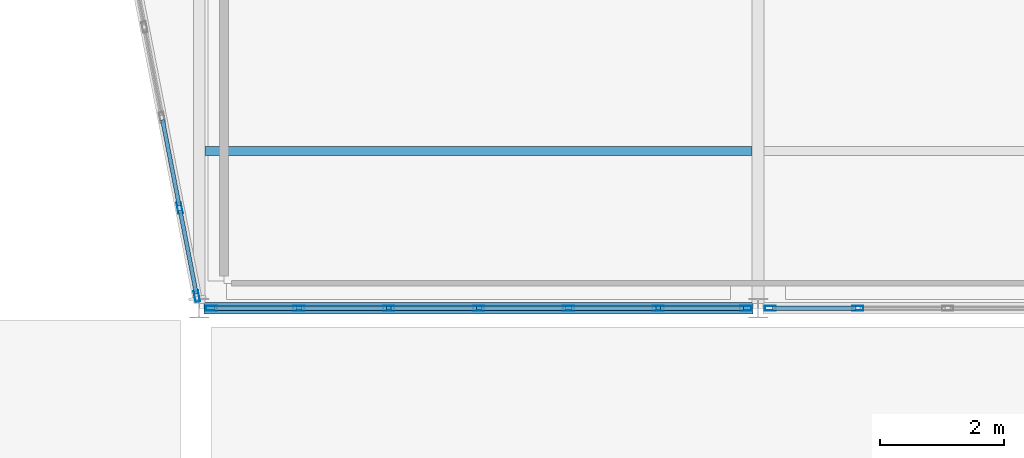
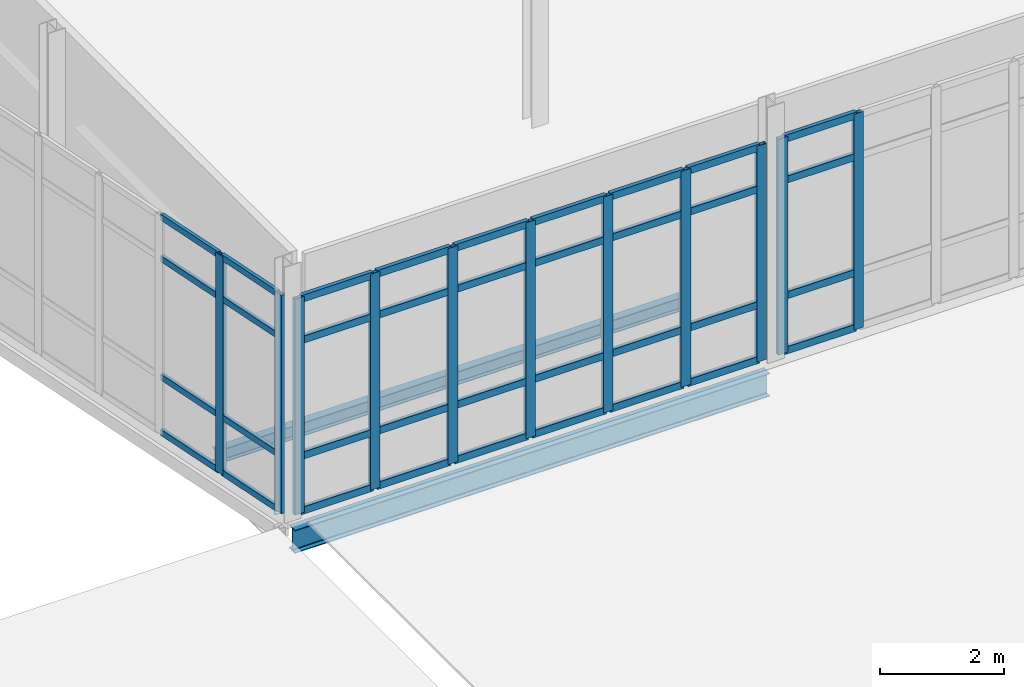
# One storey, part 64 of 161: 47 members, 2 beams, 3 elements without a shape of their own.
"""IFC4 building model written with IfcOpenShell, lengths in metres."""

from ifc_helpers import new_model, si_unit, direction, frame, origin, origin_2d, place, context, subcontext, project, spatial, hollow_rectangle, i_section, extrude, material, material_profile, profile_set, type_object, element, aggregate, save


model = new_model("IFC4")

# Units and contexts
model_context = context("Model", 3, precision=1e-05, world=origin(), true_north=direction((0.0, 1.0)))
body_context = subcontext(model_context, "Body", "Model", "MODEL_VIEW")
ifc_project = project(units=[si_unit("LENGTHUNIT", "METRE"), si_unit("AREAUNIT", "SQUARE_METRE"), si_unit("VOLUMEUNIT", "CUBIC_METRE"), si_unit("PLANEANGLEUNIT", "RADIAN"), si_unit("MASSUNIT", "GRAM", prefix="KILO")], contexts=[model_context])

# Site, building, storey
site_placement = place(None, origin())
site = spatial("IfcSite", under=ifc_project, at=site_placement, CompositionType="ELEMENT")
building_placement = place(site_placement, origin())
building = spatial("IfcBuilding", under=site, at=building_placement, Name="Caisbarro Railhouse Central Library", CompositionType="ELEMENT")
storey_placement = place(building_placement, origin())
storey = spatial("IfcBuildingStorey", under=building, at=storey_placement, Name="L00", CompositionType="ELEMENT", Elevation=0.0)

# Beams
ifc_material_1 = material(Name="Steel ASTM A572 Grade 50", Category="steel")
ifc_material_profile_1 = material_profile(ifc_material_1, i_section(OverallWidth=0.14794921875, OverallDepth=0.26611328125, WebThickness=0.007568359375, FlangeThickness=0.012939453125, FilletRadius=0.010009765625, at=origin_2d()), Name="W250X44.8")
ifc_profile_set_1 = profile_set([ifc_material_profile_1], Name="Steel ASTM A572 Grade 50")
beam_type_1 = type_object("IfcBeamType", Name="BM-J04", PredefinedType="JOIST", material=ifc_profile_set_1)
beam_1_placement = place(storey_placement, frame((117.094970703125, 63.333251953125, -0.383056640625), z_axis=(1.0, 0.0, 0.0), x_axis=(0.0, 1.0, 0.0)))
element("IfcBeam", 1, at=beam_1_placement, inside=storey, type_object=beam_type_1, Name="J04 beam L00 #557", PredefinedType="JOIST", context=body_context, shape_type="SweptSolid", body=[
    extrude(i_section(OverallWidth=0.14794921875, OverallDepth=0.26611328125, WebThickness=0.007568359375, FlangeThickness=0.012939453125, FilletRadius=0.010009765625, at=origin_2d()), origin(), (0.0, 0.0, 1.0), 8.81005859375),
])
ifc_material_profile_2 = material_profile(ifc_material_1, i_section(OverallWidth=0.18994140625, OverallDepth=0.45703125, WebThickness=0.009033203125, FlangeThickness=0.014404296875, FilletRadius=0.01806640625, at=origin_2d()), Name="W460X74.0")
ifc_profile_set_2 = profile_set([ifc_material_profile_2], Name="Steel ASTM A572 Grade 50")
beam_type_2 = type_object("IfcBeamType", Name="BM-SP01", PredefinedType="SPANDREL", material=ifc_profile_set_2)
beam_2_placement = place(storey_placement, frame((117.080078125, 60.800048828125, -0.478515625), z_axis=(1.0, 0.0, 0.0), x_axis=(0.0, 1.0, 0.0)))
element("IfcBeam", 2, at=beam_2_placement, inside=storey, type_object=beam_type_2, Name="SP01 beam L00 #490", PredefinedType="SPANDREL", context=body_context, shape_type="SweptSolid", body=[
    extrude(i_section(OverallWidth=0.18994140625, OverallDepth=0.45703125, WebThickness=0.009033203125, FlangeThickness=0.014404296875, FilletRadius=0.01806640625, at=origin_2d()), origin(), (0.0, 0.0, 1.0), 8.83984375),
])

# Curtain wall, members
ifc_material_2 = material(Name="Anodised architectural aluminium", Category="aluminium")
curtain_wall_type_1 = type_object("IfcCurtainWallType", Name="CW-CW01", PredefinedType="NOTDEFINED", material=ifc_material_2)
curtain_wall_1_placement = place(storey_placement, origin())
curtain_wall_1 = element("IfcCurtainWall", 3, at=curtain_wall_1_placement, inside=storey, type_object=curtain_wall_type_1, Name="CW01 curtain wall L00 #96", PredefinedType="NOTDEFINED")
ifc_material_profile_3 = material_profile(ifc_material_2, hollow_rectangle(XDim=0.074951171875, YDim=0.179931640625, WallThickness=0.00439453125, at=origin_2d()), Name="ALU-MUL-75X180")
ifc_profile_set_3 = profile_set([ifc_material_profile_3], Name="Anodised architectural aluminium")
member_type_1 = type_object("IfcMemberType", Name="CWM-M01", PredefinedType="MULLION", material=ifc_profile_set_3)
member_1_placement = place(storey_placement, frame((116.96240234375, 60.993896484375, 0.0), z_axis=(0.0, 0.0, 1.0), x_axis=(-0.981632635401, -0.190780945369, 0.0)))
member_1 = element("IfcMember", 4, at=member_1_placement, type_object=member_type_1, Name="CW01 mullion 1", PredefinedType="MULLION", context=body_context, shape_type="SweptSolid", body=[
    extrude(hollow_rectangle(XDim=0.074951171875, YDim=0.179931640625, WallThickness=0.00439453125, at=origin_2d()), origin(), (0.0, 0.0, 1.0), 4.300048828125),
])
member_2_placement = place(storey_placement, frame((116.686279296875, 62.414306640625, 0.0), z_axis=(0.0, 0.0, 1.0), x_axis=(-0.981632635401, -0.190780945369, 0.0)))
member_2 = element("IfcMember", 5, at=member_2_placement, type_object=member_type_1, Name="CW01 mullion 2", PredefinedType="MULLION", context=body_context, shape_type="SweptSolid", body=[
    extrude(hollow_rectangle(XDim=0.074951171875, YDim=0.179931640625, WallThickness=0.00439453125, at=origin_2d()), origin(), (0.0, 0.0, 1.0), 4.300048828125),
])

curtain_wall_type_2 = type_object("IfcCurtainWallType", Name="CW-CW02", PredefinedType="NOTDEFINED", material=ifc_material_2)
curtain_wall_2_placement = place(storey_placement, origin())
curtain_wall_2 = element("IfcCurtainWall", 6, at=curtain_wall_2_placement, inside=storey, type_object=curtain_wall_type_2, Name="CW02 curtain wall L00 #103", PredefinedType="NOTDEFINED")
member_3_placement = place(storey_placement, frame((117.197509765625, 60.800048828125, 0.0), z_axis=(0.0, 0.0, 1.0), x_axis=(0.0, 1.0, 0.0)))
member_3 = element("IfcMember", 7, at=member_3_placement, type_object=member_type_1, Name="CW02 mullion 1", PredefinedType="MULLION", context=body_context, shape_type="SweptSolid", body=[
    extrude(hollow_rectangle(XDim=0.074951171875, YDim=0.179931640625, WallThickness=0.00439453125, at=origin_2d()), origin(), (0.0, 0.0, 1.0), 4.25),
])
member_4_placement = place(storey_placement, frame((118.606689453125, 60.800048828125, 0.0), z_axis=(0.0, 0.0, 1.0), x_axis=(0.0, 1.0, 0.0)))
member_4 = element("IfcMember", 8, at=member_4_placement, type_object=member_type_1, Name="CW02 mullion 2", PredefinedType="MULLION", context=body_context, shape_type="SweptSolid", body=[
    extrude(hollow_rectangle(XDim=0.074951171875, YDim=0.179931640625, WallThickness=0.00439453125, at=origin_2d()), origin(), (0.0, 0.0, 1.0), 4.25),
])
member_5_placement = place(storey_placement, frame((120.05322265625, 60.800048828125, 0.0), z_axis=(0.0, 0.0, 1.0), x_axis=(0.0, 1.0, 0.0)))
member_5 = element("IfcMember", 9, at=member_5_placement, type_object=member_type_1, Name="CW02 mullion 3", PredefinedType="MULLION", context=body_context, shape_type="SweptSolid", body=[
    extrude(hollow_rectangle(XDim=0.074951171875, YDim=0.179931640625, WallThickness=0.00439453125, at=origin_2d()), origin(), (0.0, 0.0, 1.0), 4.25),
])
member_6_placement = place(storey_placement, frame((121.5, 60.800048828125, 0.0), z_axis=(0.0, 0.0, 1.0), x_axis=(0.0, 1.0, 0.0)))
member_6 = element("IfcMember", 10, at=member_6_placement, type_object=member_type_1, Name="CW02 mullion 4", PredefinedType="MULLION", context=body_context, shape_type="SweptSolid", body=[
    extrude(hollow_rectangle(XDim=0.074951171875, YDim=0.179931640625, WallThickness=0.00439453125, at=origin_2d()), origin(), (0.0, 0.0, 1.0), 4.25),
])
member_7_placement = place(storey_placement, frame((122.94677734375, 60.800048828125, 0.0), z_axis=(0.0, 0.0, 1.0), x_axis=(0.0, 1.0, 0.0)))
member_7 = element("IfcMember", 11, at=member_7_placement, type_object=member_type_1, Name="CW02 mullion 5", PredefinedType="MULLION", context=body_context, shape_type="SweptSolid", body=[
    extrude(hollow_rectangle(XDim=0.074951171875, YDim=0.179931640625, WallThickness=0.00439453125, at=origin_2d()), origin(), (0.0, 0.0, 1.0), 4.25),
])
member_8_placement = place(storey_placement, frame((124.393310546875, 60.800048828125, 0.0), z_axis=(0.0, 0.0, 1.0), x_axis=(0.0, 1.0, 0.0)))
member_8 = element("IfcMember", 12, at=member_8_placement, type_object=member_type_1, Name="CW02 mullion 6", PredefinedType="MULLION", context=body_context, shape_type="SweptSolid", body=[
    extrude(hollow_rectangle(XDim=0.074951171875, YDim=0.179931640625, WallThickness=0.00439453125, at=origin_2d()), origin(), (0.0, 0.0, 1.0), 4.25),
])
member_9_placement = place(storey_placement, frame((125.802490234375, 60.800048828125, 0.0), z_axis=(0.0, 0.0, 1.0), x_axis=(0.0, 1.0, 0.0)))
member_9 = element("IfcMember", 13, at=member_9_placement, type_object=member_type_1, Name="CW02 mullion 7", PredefinedType="MULLION", context=body_context, shape_type="SweptSolid", body=[
    extrude(hollow_rectangle(XDim=0.074951171875, YDim=0.179931640625, WallThickness=0.00439453125, at=origin_2d()), origin(), (0.0, 0.0, 1.0), 4.25),
])

curtain_wall_3_placement = place(storey_placement, origin())
curtain_wall_3 = element("IfcCurtainWall", 14, at=curtain_wall_3_placement, inside=storey, type_object=curtain_wall_type_2, Name="CW02 curtain wall L00 #104", PredefinedType="NOTDEFINED")
member_10_placement = place(storey_placement, frame((126.197509765625, 60.800048828125, 0.0), z_axis=(0.0, 0.0, 1.0), x_axis=(0.0, 1.0, 0.0)))
member_10 = element("IfcMember", 15, at=member_10_placement, type_object=member_type_1, Name="CW02 mullion 1", PredefinedType="MULLION", context=body_context, shape_type="SweptSolid", body=[
    extrude(hollow_rectangle(XDim=0.074951171875, YDim=0.179931640625, WallThickness=0.00439453125, at=origin_2d()), origin(), (0.0, 0.0, 1.0), 4.25),
])
member_11_placement = place(storey_placement, frame((127.606689453125, 60.800048828125, 0.0), z_axis=(0.0, 0.0, 1.0), x_axis=(0.0, 1.0, 0.0)))
member_11 = element("IfcMember", 16, at=member_11_placement, type_object=member_type_1, Name="CW02 mullion 2", PredefinedType="MULLION", context=body_context, shape_type="SweptSolid", body=[
    extrude(hollow_rectangle(XDim=0.074951171875, YDim=0.179931640625, WallThickness=0.00439453125, at=origin_2d()), origin(), (0.0, 0.0, 1.0), 4.25),
])

# Member
ifc_material_profile_4 = material_profile(ifc_material_2, hollow_rectangle(XDim=0.074951171875, YDim=0.139892578125, WallThickness=0.00390625, at=origin_2d()), Name="ALU-TRN-75X140")
ifc_profile_set_4 = profile_set([ifc_material_profile_4], Name="Anodised architectural aluminium")
member_type_2 = type_object("IfcMemberType", Name="CWT-T01", PredefinedType="USERDEFINED", material=ifc_profile_set_4)
member_12_placement = place(storey_placement, frame((117.235107421875, 60.800048828125, 0.03759765625), z_axis=(1.0, 0.0, 0.0), x_axis=(0.0, 1.0, 0.0)))
member_12 = element("IfcMember", 17, at=member_12_placement, type_object=member_type_2, Name="CW02 transom 1.1", ObjectType="TRANSOM", PredefinedType="USERDEFINED", context=body_context, shape_type="SweptSolid", body=[
    extrude(hollow_rectangle(XDim=0.074951171875, YDim=0.139892578125, WallThickness=0.00390625, at=origin_2d()), origin(), (0.0, 0.0, 1.0), 1.333984375),
])

member_13_placement = place(storey_placement, frame((117.235107421875, 60.800048828125, 1.1201171875), z_axis=(1.0, 0.0, 0.0), x_axis=(0.0, 1.0, 0.0)))
member_13 = element("IfcMember", 18, at=member_13_placement, type_object=member_type_2, Name="CW02 transom 1.2", ObjectType="TRANSOM", PredefinedType="USERDEFINED", context=body_context, shape_type="SweptSolid", body=[
    extrude(hollow_rectangle(XDim=0.074951171875, YDim=0.139892578125, WallThickness=0.00390625, at=origin_2d()), origin(), (0.0, 0.0, 1.0), 1.333984375),
])

member_14_placement = place(storey_placement, frame((117.235107421875, 60.800048828125, 3.39990234375), z_axis=(1.0, 0.0, 0.0), x_axis=(0.0, 1.0, 0.0)))
member_14 = element("IfcMember", 19, at=member_14_placement, type_object=member_type_2, Name="CW02 transom 1.3", ObjectType="TRANSOM", PredefinedType="USERDEFINED", context=body_context, shape_type="SweptSolid", body=[
    extrude(hollow_rectangle(XDim=0.074951171875, YDim=0.139892578125, WallThickness=0.00390625, at=origin_2d()), origin(), (0.0, 0.0, 1.0), 1.333984375),
])

member_15_placement = place(storey_placement, frame((117.235107421875, 60.800048828125, 4.21240234375), z_axis=(1.0, 0.0, 0.0), x_axis=(0.0, 1.0, 0.0)))
member_15 = element("IfcMember", 20, at=member_15_placement, type_object=member_type_2, Name="CW02 transom 1.4", ObjectType="TRANSOM", PredefinedType="USERDEFINED", context=body_context, shape_type="SweptSolid", body=[
    extrude(hollow_rectangle(XDim=0.074951171875, YDim=0.139892578125, WallThickness=0.00390625, at=origin_2d()), origin(), (0.0, 0.0, 1.0), 1.333984375),
])

member_16_placement = place(storey_placement, frame((118.644287109375, 60.800048828125, 0.03759765625), z_axis=(1.0, 0.0, 0.0), x_axis=(0.0, 1.0, 0.0)))
member_16 = element("IfcMember", 21, at=member_16_placement, type_object=member_type_2, Name="CW02 transom 2.1", ObjectType="TRANSOM", PredefinedType="USERDEFINED", context=body_context, shape_type="SweptSolid", body=[
    extrude(hollow_rectangle(XDim=0.074951171875, YDim=0.139892578125, WallThickness=0.00390625, at=origin_2d()), origin(), (0.0, 0.0, 1.0), 1.37158203125),
])

member_17_placement = place(storey_placement, frame((118.644287109375, 60.800048828125, 1.1201171875), z_axis=(1.0, 0.0, 0.0), x_axis=(0.0, 1.0, 0.0)))
member_17 = element("IfcMember", 22, at=member_17_placement, type_object=member_type_2, Name="CW02 transom 2.2", ObjectType="TRANSOM", PredefinedType="USERDEFINED", context=body_context, shape_type="SweptSolid", body=[
    extrude(hollow_rectangle(XDim=0.074951171875, YDim=0.139892578125, WallThickness=0.00390625, at=origin_2d()), origin(), (0.0, 0.0, 1.0), 1.37158203125),
])

member_18_placement = place(storey_placement, frame((118.644287109375, 60.800048828125, 3.39990234375), z_axis=(1.0, 0.0, 0.0), x_axis=(0.0, 1.0, 0.0)))
member_18 = element("IfcMember", 23, at=member_18_placement, type_object=member_type_2, Name="CW02 transom 2.3", ObjectType="TRANSOM", PredefinedType="USERDEFINED", context=body_context, shape_type="SweptSolid", body=[
    extrude(hollow_rectangle(XDim=0.074951171875, YDim=0.139892578125, WallThickness=0.00390625, at=origin_2d()), origin(), (0.0, 0.0, 1.0), 1.37158203125),
])

member_19_placement = place(storey_placement, frame((118.644287109375, 60.800048828125, 4.21240234375), z_axis=(1.0, 0.0, 0.0), x_axis=(0.0, 1.0, 0.0)))
member_19 = element("IfcMember", 24, at=member_19_placement, type_object=member_type_2, Name="CW02 transom 2.4", ObjectType="TRANSOM", PredefinedType="USERDEFINED", context=body_context, shape_type="SweptSolid", body=[
    extrude(hollow_rectangle(XDim=0.074951171875, YDim=0.139892578125, WallThickness=0.00390625, at=origin_2d()), origin(), (0.0, 0.0, 1.0), 1.37158203125),
])

member_20_placement = place(storey_placement, frame((120.0908203125, 60.800048828125, 0.03759765625), z_axis=(1.0, 0.0, 0.0), x_axis=(0.0, 1.0, 0.0)))
member_20 = element("IfcMember", 25, at=member_20_placement, type_object=member_type_2, Name="CW02 transom 3.1", ObjectType="TRANSOM", PredefinedType="USERDEFINED", context=body_context, shape_type="SweptSolid", body=[
    extrude(hollow_rectangle(XDim=0.074951171875, YDim=0.139892578125, WallThickness=0.00390625, at=origin_2d()), origin(), (0.0, 0.0, 1.0), 1.37158203125),
])

member_21_placement = place(storey_placement, frame((120.0908203125, 60.800048828125, 1.1201171875), z_axis=(1.0, 0.0, 0.0), x_axis=(0.0, 1.0, 0.0)))
member_21 = element("IfcMember", 26, at=member_21_placement, type_object=member_type_2, Name="CW02 transom 3.2", ObjectType="TRANSOM", PredefinedType="USERDEFINED", context=body_context, shape_type="SweptSolid", body=[
    extrude(hollow_rectangle(XDim=0.074951171875, YDim=0.139892578125, WallThickness=0.00390625, at=origin_2d()), origin(), (0.0, 0.0, 1.0), 1.37158203125),
])

member_22_placement = place(storey_placement, frame((120.0908203125, 60.800048828125, 3.39990234375), z_axis=(1.0, 0.0, 0.0), x_axis=(0.0, 1.0, 0.0)))
member_22 = element("IfcMember", 27, at=member_22_placement, type_object=member_type_2, Name="CW02 transom 3.3", ObjectType="TRANSOM", PredefinedType="USERDEFINED", context=body_context, shape_type="SweptSolid", body=[
    extrude(hollow_rectangle(XDim=0.074951171875, YDim=0.139892578125, WallThickness=0.00390625, at=origin_2d()), origin(), (0.0, 0.0, 1.0), 1.37158203125),
])

member_23_placement = place(storey_placement, frame((120.0908203125, 60.800048828125, 4.21240234375), z_axis=(1.0, 0.0, 0.0), x_axis=(0.0, 1.0, 0.0)))
member_23 = element("IfcMember", 28, at=member_23_placement, type_object=member_type_2, Name="CW02 transom 3.4", ObjectType="TRANSOM", PredefinedType="USERDEFINED", context=body_context, shape_type="SweptSolid", body=[
    extrude(hollow_rectangle(XDim=0.074951171875, YDim=0.139892578125, WallThickness=0.00390625, at=origin_2d()), origin(), (0.0, 0.0, 1.0), 1.37158203125),
])

member_24_placement = place(storey_placement, frame((121.53759765625, 60.800048828125, 0.03759765625), z_axis=(1.0, 0.0, 0.0), x_axis=(0.0, 1.0, 0.0)))
member_24 = element("IfcMember", 29, at=member_24_placement, type_object=member_type_2, Name="CW02 transom 4.1", ObjectType="TRANSOM", PredefinedType="USERDEFINED", context=body_context, shape_type="SweptSolid", body=[
    extrude(hollow_rectangle(XDim=0.074951171875, YDim=0.139892578125, WallThickness=0.00390625, at=origin_2d()), origin(), (0.0, 0.0, 1.0), 1.37158203125),
])

member_25_placement = place(storey_placement, frame((121.53759765625, 60.800048828125, 1.1201171875), z_axis=(1.0, 0.0, 0.0), x_axis=(0.0, 1.0, 0.0)))
member_25 = element("IfcMember", 30, at=member_25_placement, type_object=member_type_2, Name="CW02 transom 4.2", ObjectType="TRANSOM", PredefinedType="USERDEFINED", context=body_context, shape_type="SweptSolid", body=[
    extrude(hollow_rectangle(XDim=0.074951171875, YDim=0.139892578125, WallThickness=0.00390625, at=origin_2d()), origin(), (0.0, 0.0, 1.0), 1.37158203125),
])

member_26_placement = place(storey_placement, frame((121.53759765625, 60.800048828125, 3.39990234375), z_axis=(1.0, 0.0, 0.0), x_axis=(0.0, 1.0, 0.0)))
member_26 = element("IfcMember", 31, at=member_26_placement, type_object=member_type_2, Name="CW02 transom 4.3", ObjectType="TRANSOM", PredefinedType="USERDEFINED", context=body_context, shape_type="SweptSolid", body=[
    extrude(hollow_rectangle(XDim=0.074951171875, YDim=0.139892578125, WallThickness=0.00390625, at=origin_2d()), origin(), (0.0, 0.0, 1.0), 1.37158203125),
])

member_27_placement = place(storey_placement, frame((121.53759765625, 60.800048828125, 4.21240234375), z_axis=(1.0, 0.0, 0.0), x_axis=(0.0, 1.0, 0.0)))
member_27 = element("IfcMember", 32, at=member_27_placement, type_object=member_type_2, Name="CW02 transom 4.4", ObjectType="TRANSOM", PredefinedType="USERDEFINED", context=body_context, shape_type="SweptSolid", body=[
    extrude(hollow_rectangle(XDim=0.074951171875, YDim=0.139892578125, WallThickness=0.00390625, at=origin_2d()), origin(), (0.0, 0.0, 1.0), 1.37158203125),
])

member_28_placement = place(storey_placement, frame((122.984130859375, 60.800048828125, 0.03759765625), z_axis=(1.0, 0.0, 0.0), x_axis=(0.0, 1.0, 0.0)))
member_28 = element("IfcMember", 33, at=member_28_placement, type_object=member_type_2, Name="CW02 transom 5.1", ObjectType="TRANSOM", PredefinedType="USERDEFINED", context=body_context, shape_type="SweptSolid", body=[
    extrude(hollow_rectangle(XDim=0.074951171875, YDim=0.139892578125, WallThickness=0.00390625, at=origin_2d()), origin(), (0.0, 0.0, 1.0), 1.37158203125),
])

member_29_placement = place(storey_placement, frame((122.984130859375, 60.800048828125, 1.1201171875), z_axis=(1.0, 0.0, 0.0), x_axis=(0.0, 1.0, 0.0)))
member_29 = element("IfcMember", 34, at=member_29_placement, type_object=member_type_2, Name="CW02 transom 5.2", ObjectType="TRANSOM", PredefinedType="USERDEFINED", context=body_context, shape_type="SweptSolid", body=[
    extrude(hollow_rectangle(XDim=0.074951171875, YDim=0.139892578125, WallThickness=0.00390625, at=origin_2d()), origin(), (0.0, 0.0, 1.0), 1.37158203125),
])

member_30_placement = place(storey_placement, frame((122.984130859375, 60.800048828125, 3.39990234375), z_axis=(1.0, 0.0, 0.0), x_axis=(0.0, 1.0, 0.0)))
member_30 = element("IfcMember", 35, at=member_30_placement, type_object=member_type_2, Name="CW02 transom 5.3", ObjectType="TRANSOM", PredefinedType="USERDEFINED", context=body_context, shape_type="SweptSolid", body=[
    extrude(hollow_rectangle(XDim=0.074951171875, YDim=0.139892578125, WallThickness=0.00390625, at=origin_2d()), origin(), (0.0, 0.0, 1.0), 1.37158203125),
])

member_31_placement = place(storey_placement, frame((122.984130859375, 60.800048828125, 4.21240234375), z_axis=(1.0, 0.0, 0.0), x_axis=(0.0, 1.0, 0.0)))
member_31 = element("IfcMember", 36, at=member_31_placement, type_object=member_type_2, Name="CW02 transom 5.4", ObjectType="TRANSOM", PredefinedType="USERDEFINED", context=body_context, shape_type="SweptSolid", body=[
    extrude(hollow_rectangle(XDim=0.074951171875, YDim=0.139892578125, WallThickness=0.00390625, at=origin_2d()), origin(), (0.0, 0.0, 1.0), 1.37158203125),
])

member_32_placement = place(storey_placement, frame((124.430908203125, 60.800048828125, 0.03759765625), z_axis=(1.0, 0.0, 0.0), x_axis=(0.0, 1.0, 0.0)))
member_32 = element("IfcMember", 37, at=member_32_placement, type_object=member_type_2, Name="CW02 transom 6.1", ObjectType="TRANSOM", PredefinedType="USERDEFINED", context=body_context, shape_type="SweptSolid", body=[
    extrude(hollow_rectangle(XDim=0.074951171875, YDim=0.139892578125, WallThickness=0.00390625, at=origin_2d()), origin(), (0.0, 0.0, 1.0), 1.333984375),
])

member_33_placement = place(storey_placement, frame((124.430908203125, 60.800048828125, 1.1201171875), z_axis=(1.0, 0.0, 0.0), x_axis=(0.0, 1.0, 0.0)))
member_33 = element("IfcMember", 38, at=member_33_placement, type_object=member_type_2, Name="CW02 transom 6.2", ObjectType="TRANSOM", PredefinedType="USERDEFINED", context=body_context, shape_type="SweptSolid", body=[
    extrude(hollow_rectangle(XDim=0.074951171875, YDim=0.139892578125, WallThickness=0.00390625, at=origin_2d()), origin(), (0.0, 0.0, 1.0), 1.333984375),
])

member_34_placement = place(storey_placement, frame((124.430908203125, 60.800048828125, 3.39990234375), z_axis=(1.0, 0.0, 0.0), x_axis=(0.0, 1.0, 0.0)))
member_34 = element("IfcMember", 39, at=member_34_placement, type_object=member_type_2, Name="CW02 transom 6.3", ObjectType="TRANSOM", PredefinedType="USERDEFINED", context=body_context, shape_type="SweptSolid", body=[
    extrude(hollow_rectangle(XDim=0.074951171875, YDim=0.139892578125, WallThickness=0.00390625, at=origin_2d()), origin(), (0.0, 0.0, 1.0), 1.333984375),
])

member_35_placement = place(storey_placement, frame((124.430908203125, 60.800048828125, 4.21240234375), z_axis=(1.0, 0.0, 0.0), x_axis=(0.0, 1.0, 0.0)))
member_35 = element("IfcMember", 40, at=member_35_placement, type_object=member_type_2, Name="CW02 transom 6.4", ObjectType="TRANSOM", PredefinedType="USERDEFINED", context=body_context, shape_type="SweptSolid", body=[
    extrude(hollow_rectangle(XDim=0.074951171875, YDim=0.139892578125, WallThickness=0.00390625, at=origin_2d()), origin(), (0.0, 0.0, 1.0), 1.333984375),
])

aggregate(curtain_wall_2, [member_3, member_4, member_5, member_6, member_7, member_8, member_9, member_12, member_13, member_14, member_15, member_16, member_17, member_18, member_19, member_20, member_21, member_22, member_23, member_24, member_25, member_26, member_27, member_28, member_29, member_30, member_31, member_32, member_33, member_34, member_35])

member_36_placement = place(storey_placement, frame((126.235107421875, 60.800048828125, 0.03759765625), z_axis=(1.0, 0.0, 0.0), x_axis=(0.0, 1.0, 0.0)))
member_36 = element("IfcMember", 41, at=member_36_placement, type_object=member_type_2, Name="CW02 transom 1.1", ObjectType="TRANSOM", PredefinedType="USERDEFINED", context=body_context, shape_type="SweptSolid", body=[
    extrude(hollow_rectangle(XDim=0.074951171875, YDim=0.139892578125, WallThickness=0.00390625, at=origin_2d()), origin(), (0.0, 0.0, 1.0), 1.333984375),
])

member_37_placement = place(storey_placement, frame((126.235107421875, 60.800048828125, 1.1201171875), z_axis=(1.0, 0.0, 0.0), x_axis=(0.0, 1.0, 0.0)))
member_37 = element("IfcMember", 42, at=member_37_placement, type_object=member_type_2, Name="CW02 transom 1.2", ObjectType="TRANSOM", PredefinedType="USERDEFINED", context=body_context, shape_type="SweptSolid", body=[
    extrude(hollow_rectangle(XDim=0.074951171875, YDim=0.139892578125, WallThickness=0.00390625, at=origin_2d()), origin(), (0.0, 0.0, 1.0), 1.333984375),
])

member_38_placement = place(storey_placement, frame((126.235107421875, 60.800048828125, 3.39990234375), z_axis=(1.0, 0.0, 0.0), x_axis=(0.0, 1.0, 0.0)))
member_38 = element("IfcMember", 43, at=member_38_placement, type_object=member_type_2, Name="CW02 transom 1.3", ObjectType="TRANSOM", PredefinedType="USERDEFINED", context=body_context, shape_type="SweptSolid", body=[
    extrude(hollow_rectangle(XDim=0.074951171875, YDim=0.139892578125, WallThickness=0.00390625, at=origin_2d()), origin(), (0.0, 0.0, 1.0), 1.333984375),
])

member_39_placement = place(storey_placement, frame((126.235107421875, 60.800048828125, 4.21240234375), z_axis=(1.0, 0.0, 0.0), x_axis=(0.0, 1.0, 0.0)))
member_39 = element("IfcMember", 44, at=member_39_placement, type_object=member_type_2, Name="CW02 transom 1.4", ObjectType="TRANSOM", PredefinedType="USERDEFINED", context=body_context, shape_type="SweptSolid", body=[
    extrude(hollow_rectangle(XDim=0.074951171875, YDim=0.139892578125, WallThickness=0.00390625, at=origin_2d()), origin(), (0.0, 0.0, 1.0), 1.333984375),
])

aggregate(curtain_wall_3, [member_10, member_11, member_36, member_37, member_38, member_39])

ifc_material_profile_5 = material_profile(ifc_material_2, hollow_rectangle(XDim=0.06494140625, YDim=0.1201171875, WallThickness=0.00341796875, at=origin_2d()), Name="ALU-TRN-65X120")
ifc_profile_set_5 = profile_set([ifc_material_profile_5], Name="Anodised architectural aluminium")
member_type_3 = type_object("IfcMemberType", Name="CWT-T02", PredefinedType="USERDEFINED", material=ifc_profile_set_5)
member_40_placement = place(storey_placement, frame((116.955078125, 61.03076171875, 0.032470703125), z_axis=(-0.190774392735, 0.981633908887, 0.0), x_axis=(-0.981633908887, -0.190774392735, 0.0)))
member_40 = element("IfcMember", 45, at=member_40_placement, type_object=member_type_3, Name="CW01 transom 1.1", ObjectType="TRANSOM", PredefinedType="USERDEFINED", context=body_context, shape_type="SweptSolid", body=[
    extrude(hollow_rectangle(XDim=0.06494140625, YDim=0.1201171875, WallThickness=0.00341796875, at=origin_2d()), origin(), (0.0, 0.0, 1.0), 1.371826171875),
])

member_41_placement = place(storey_placement, frame((116.955078125, 61.03076171875, 1.1201171875), z_axis=(-0.190774392735, 0.981633908887, 0.0), x_axis=(-0.981633908887, -0.190774392735, 0.0)))
member_41 = element("IfcMember", 46, at=member_41_placement, type_object=member_type_3, Name="CW01 transom 1.2", ObjectType="TRANSOM", PredefinedType="USERDEFINED", context=body_context, shape_type="SweptSolid", body=[
    extrude(hollow_rectangle(XDim=0.06494140625, YDim=0.1201171875, WallThickness=0.00341796875, at=origin_2d()), origin(), (0.0, 0.0, 1.0), 1.371826171875),
])

member_42_placement = place(storey_placement, frame((116.955078125, 61.03076171875, 3.449951171875), z_axis=(-0.190774392735, 0.981633908887, 0.0), x_axis=(-0.981633908887, -0.190774392735, 0.0)))
member_42 = element("IfcMember", 47, at=member_42_placement, type_object=member_type_3, Name="CW01 transom 1.3", ObjectType="TRANSOM", PredefinedType="USERDEFINED", context=body_context, shape_type="SweptSolid", body=[
    extrude(hollow_rectangle(XDim=0.06494140625, YDim=0.1201171875, WallThickness=0.00341796875, at=origin_2d()), origin(), (0.0, 0.0, 1.0), 1.371826171875),
])

member_43_placement = place(storey_placement, frame((116.955078125, 61.03076171875, 4.267578125), z_axis=(-0.190774392735, 0.981633908887, 0.0), x_axis=(-0.981633908887, -0.190774392735, 0.0)))
member_43 = element("IfcMember", 48, at=member_43_placement, type_object=member_type_3, Name="CW01 transom 1.4", ObjectType="TRANSOM", PredefinedType="USERDEFINED", context=body_context, shape_type="SweptSolid", body=[
    extrude(hollow_rectangle(XDim=0.06494140625, YDim=0.1201171875, WallThickness=0.00341796875, at=origin_2d()), origin(), (0.0, 0.0, 1.0), 1.371826171875),
])

member_44_placement = place(storey_placement, frame((116.67919921875, 62.451171875, 0.032470703125), z_axis=(-0.190883567843, 0.981612685089, 0.0), x_axis=(-0.981612685089, -0.190883567843, 0.0)))
member_44 = element("IfcMember", 49, at=member_44_placement, type_object=member_type_3, Name="CW01 transom 2.1", ObjectType="TRANSOM", PredefinedType="USERDEFINED", context=body_context, shape_type="SweptSolid", body=[
    extrude(hollow_rectangle(XDim=0.06494140625, YDim=0.1201171875, WallThickness=0.00341796875, at=origin_2d()), origin(), (0.0, 0.0, 1.0), 1.409423828125),
])

member_45_placement = place(storey_placement, frame((116.67919921875, 62.451171875, 1.1201171875), z_axis=(-0.190883567843, 0.981612685089, 0.0), x_axis=(-0.981612685089, -0.190883567843, 0.0)))
member_45 = element("IfcMember", 50, at=member_45_placement, type_object=member_type_3, Name="CW01 transom 2.2", ObjectType="TRANSOM", PredefinedType="USERDEFINED", context=body_context, shape_type="SweptSolid", body=[
    extrude(hollow_rectangle(XDim=0.06494140625, YDim=0.1201171875, WallThickness=0.00341796875, at=origin_2d()), origin(), (0.0, 0.0, 1.0), 1.409423828125),
])

member_46_placement = place(storey_placement, frame((116.67919921875, 62.451171875, 3.449951171875), z_axis=(-0.190883567843, 0.981612685089, 0.0), x_axis=(-0.981612685089, -0.190883567843, 0.0)))
member_46 = element("IfcMember", 51, at=member_46_placement, type_object=member_type_3, Name="CW01 transom 2.3", ObjectType="TRANSOM", PredefinedType="USERDEFINED", context=body_context, shape_type="SweptSolid", body=[
    extrude(hollow_rectangle(XDim=0.06494140625, YDim=0.1201171875, WallThickness=0.00341796875, at=origin_2d()), origin(), (0.0, 0.0, 1.0), 1.409423828125),
])

member_47_placement = place(storey_placement, frame((116.67919921875, 62.451171875, 4.267578125), z_axis=(-0.190883567843, 0.981612685089, 0.0), x_axis=(-0.981612685089, -0.190883567843, 0.0)))
member_47 = element("IfcMember", 52, at=member_47_placement, type_object=member_type_3, Name="CW01 transom 2.4", ObjectType="TRANSOM", PredefinedType="USERDEFINED", context=body_context, shape_type="SweptSolid", body=[
    extrude(hollow_rectangle(XDim=0.06494140625, YDim=0.1201171875, WallThickness=0.00341796875, at=origin_2d()), origin(), (0.0, 0.0, 1.0), 1.409423828125),
])

aggregate(curtain_wall_1, [member_1, member_2, member_40, member_41, member_42, member_43, member_44, member_45, member_46, member_47])

save(model, "model.ifc")
